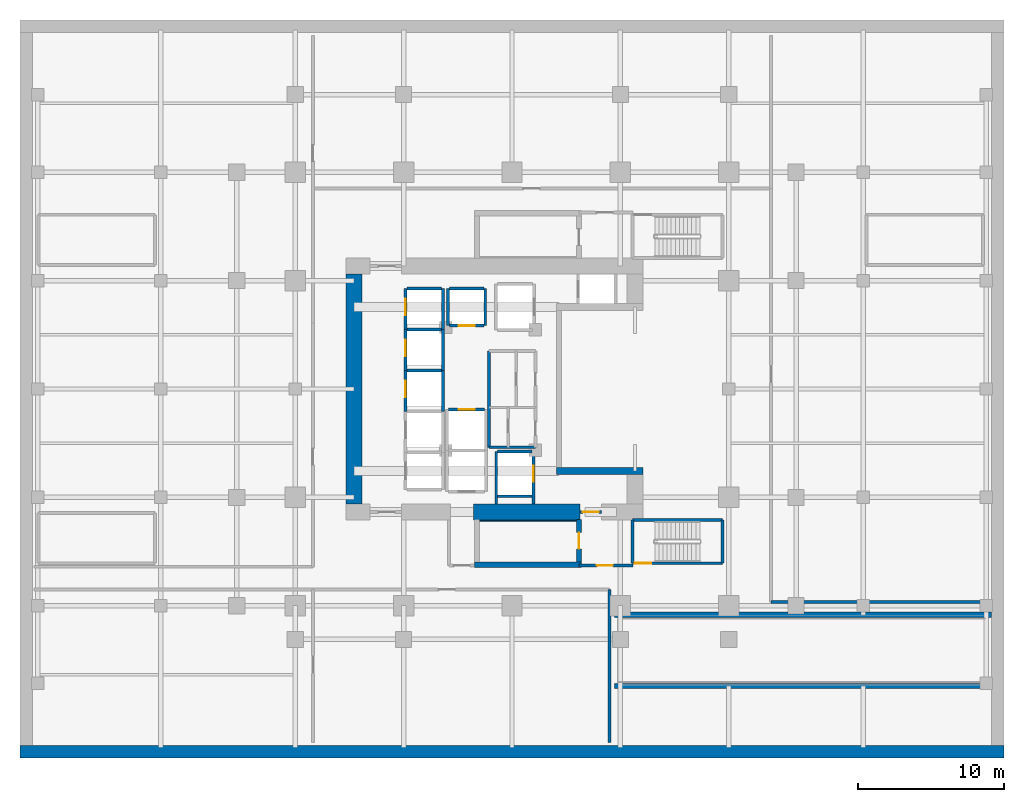
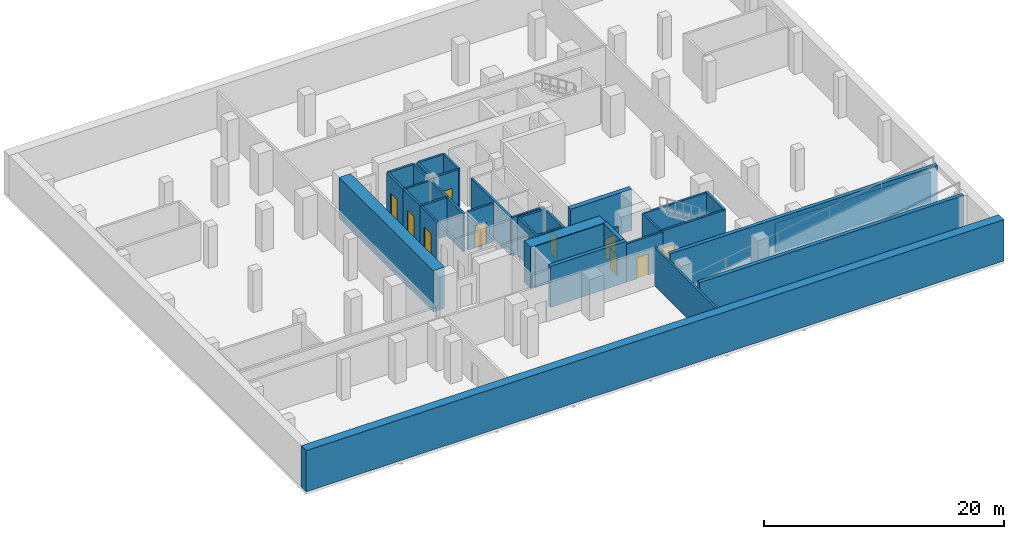
# One storey, part 4 of 7: 37 walls, 10 doors, 10 openings.
"""IFC4 building model written with IfcOpenShell, lengths in metres."""

from ifc_helpers import new_model, si_unit, direction, frame, frame_2d, origin, place, context, subcontext, project, spatial, rectangle, extrude, material, layer, layer_set, type_object, element, fill, save


model = new_model("IFC4")

# Units and contexts
model_context = context("Model", 3, precision=1e-05, world=origin(), true_north=direction((0.0, 1.0)))
body_context = subcontext(model_context, "Body", "Model", "MODEL_VIEW")
ifc_project = project(units=[si_unit("LENGTHUNIT", "METRE"), si_unit("AREAUNIT", "SQUARE_METRE"), si_unit("VOLUMEUNIT", "CUBIC_METRE"), si_unit("PLANEANGLEUNIT", "RADIAN"), si_unit("MASSUNIT", "GRAM", prefix="KILO")], contexts=[model_context])

# Site, building, storey
site_placement = place(None, origin())
site = spatial("IfcSite", under=ifc_project, at=site_placement, CompositionType="ELEMENT")
building_placement = place(site_placement, origin())
building = spatial("IfcBuilding", under=site, at=building_placement, Name="Khorvyn Point Tower", CompositionType="ELEMENT")
storey_placement = place(building_placement, frame((0.0, 0.0, -4.199951171875)))
storey = spatial("IfcBuildingStorey", under=building, at=storey_placement, Name="B1", CompositionType="ELEMENT", Elevation=-4.199951171875)

# Walls
ifc_material_1 = material(Name="Concrete C35/45", Category="concrete")
ifc_layer_1 = layer(ifc_material_1, 0.85009765625)
ifc_layer_set_1 = layer_set([ifc_layer_1], Name="Concrete C35/45 Basement Retaining Wall 850")
wall_type_1 = type_object("IfcWallType", Name="Concrete C35/45 Basement Retaining Wall 850", PredefinedType="SOLIDWALL", material=ifc_layer_set_1)
wall_1_placement = place(storey_placement, frame((-33.60009765625, -24.77490234375, 0.0), z_axis=(0.0, 0.0, 1.0), x_axis=(1.0, 0.0, 0.0)))
element("IfcWall", 1, at=wall_1_placement, inside=storey, type_object=wall_type_1, Name="B1 Basement Retaining Wall S", PredefinedType="SOLIDWALL", context=body_context, shape_type="SweptSolid", body=[
    extrude(rectangle(XDim=67.2001953125, YDim=0.85009765625, at=frame_2d((33.60009765625, 0.0))), origin(), (0.0, 0.0, 1.0), 4.199951171875),
])
ifc_material_2 = material(Name="Concrete C35/45 masonry blockwork", Category="masonry")
ifc_layer_2 = layer(ifc_material_2, 0.199951171875)
ifc_layer_set_2 = layer_set([ifc_layer_2], Name="Concrete C35/45 Blockwork Plant Compartment Wall 200")
wall_type_2 = type_object("IfcWallType", Name="Concrete C35/45 Blockwork Plant Compartment Wall 200", PredefinedType="SOLIDWALL", material=ifc_layer_set_2)
wall_2_placement = place(storey_placement, frame((17.699951171875, -14.550048828125, 0.0), z_axis=(0.0, 0.0, 1.0), x_axis=(1.0, 0.0, 0.0)))
element("IfcWall", 2, at=wall_2_placement, inside=storey, type_object=wall_type_2, Name="Wall", PredefinedType="SOLIDWALL", context=body_context, shape_type="SweptSolid", body=[
    extrude(rectangle(XDim=14.949951171875, YDim=0.199951171875, at=frame_2d((7.47509765625, 0.0))), origin(), (0.0, 0.0, 1.0), 2.989990234375),
])
wall_3_placement = place(storey_placement, frame((6.64990234375, -24.14990234375, 0.0), z_axis=(0.0, 0.0, 1.0), x_axis=(0.0, 1.0, 0.0)))
element("IfcWall", 3, at=wall_3_placement, inside=storey, type_object=wall_type_2, Name="Wall", PredefinedType="SOLIDWALL", context=body_context, shape_type="SweptSolid", body=[
    extrude(rectangle(XDim=10.449951171875, YDim=0.199951171875, at=frame_2d((5.22509765625, 0.0))), origin(), (0.0, 0.0, 1.0), 3.89990234375),
])
ifc_material_3 = material(Name="Concrete C40/50", Category="concrete")
ifc_layer_3 = layer(ifc_material_3, 0.449951171875)
ifc_layer_set_3 = layer_set([ifc_layer_3], Name="Concrete C40/50 Core Shear Wall 450")
wall_type_3 = type_object("IfcWallType", Name="Concrete C40/50 Core Shear Wall 450", PredefinedType="SHEAR", material=ifc_layer_set_3)
wall_4_placement = place(storey_placement, frame((3.044921875, -5.60009765625, 0.0), z_axis=(0.0, 0.0, 1.0), x_axis=(1.0, 0.0, 0.0)))
element("IfcWall", 4, at=wall_4_placement, inside=storey, type_object=wall_type_3, Name="Wall", PredefinedType="SHEAR", context=body_context, shape_type="SweptSolid", body=[
    extrude(rectangle(XDim=5.905029296875, YDim=0.449951171875, at=frame_2d((2.95263671875, 0.0))), origin(), (0.0, 0.0, 1.0), 4.199951171875),
])

# Wall, opening, door
ifc_layer_4 = layer(ifc_material_3, 0.199951171875)
ifc_layer_set_4 = layer_set([ifc_layer_4], Name="Concrete C40/50 Fire-Lobby Compartment Wall 200")
wall_type_4 = type_object("IfcWallType", Name="Concrete C40/50 Fire-Lobby Compartment Wall 200", PredefinedType="SOLIDWALL", material=ifc_layer_set_4)
wall_5_placement = place(storey_placement, frame((4.580078125, -12.06005859375, 0.0), z_axis=(0.0, 0.0, 1.0), x_axis=(1.0, 0.0, 0.0)))
wall_5 = element("IfcWall", 5, at=wall_5_placement, inside=storey, type_object=wall_type_4, Name="Wall", PredefinedType="SOLIDWALL", context=body_context, shape_type="SweptSolid", body=[
    extrude(rectangle(XDim=3.699951171875, YDim=0.199951171875, at=frame_2d((1.85009765625, 0.0))), origin(), (0.0, 0.0, 1.0), 3.89990234375),
])
opening_1_placement = place(wall_5_placement, frame((1.21240234375, 0.0, 0.0)))
opening_1 = element("IfcOpeningElement", 6, at=opening_1_placement, cuts=wall_5, Name="Opening ID-FL90", PredefinedType="OPENING", context=body_context, shape_type="SweptSolid", body=[
    extrude(rectangle(XDim=1.10009765625, YDim=2.14990234375, at=frame_2d((0.550048828125, 1.074951171875))), frame((0.0, 0.10986328125, 0.0), z_axis=(0.0, -1.0, 0.0), x_axis=(1.0, 0.0, 0.0)), (0.0, 0.0, 1.0), 0.219970703125),
])
ifc_material_4 = material(Name="Galvanised powder-coated steel", Category="steel")
door_type_1 = type_object("IfcDoorType", Name="Fire-Rated Steel Lobby and Stair Door 1100x2150", OperationType="NOTDEFINED", PredefinedType="DOOR", material=ifc_material_4)
door_1_placement = place(opening_1_placement, origin())
door_1 = element("IfcDoor", 7, at=door_1_placement, inside=storey, type_object=door_type_1, Name="Door", OperationType="SINGLE_SWING_RIGHT", OverallHeight=2.14990234375, OverallWidth=1.10009765625, PredefinedType="DOOR", context=body_context, shape_type="SweptSolid", body=[
    extrude(rectangle(XDim=1.10009765625, YDim=2.14990234375, at=frame_2d((0.550048828125, 1.074951171875))), frame((0.0, 0.02490234375, 0.0), z_axis=(0.0, -1.0, 0.0), x_axis=(1.0, 0.0, 0.0)), (0.0, 0.0, 1.0), 0.050048828125),
])
fill(opening_1, door_1)

wall_6_placement = place(storey_placement, frame((4.64990234375, -8.39990234375, 0.0), z_axis=(0.0, 0.0, 1.0), x_axis=(1.0, 0.0, 0.0)))
wall_6 = element("IfcWall", 8, at=wall_6_placement, inside=storey, type_object=wall_type_4, Name="Wall", PredefinedType="SOLIDWALL", context=body_context, shape_type="SweptSolid", body=[
    extrude(rectangle(XDim=1.47021484375, YDim=0.199951171875, at=frame_2d((0.735107421875, 0.0))), origin(), (0.0, 0.0, 1.0), 2.93994140625),
])
opening_2_placement = place(wall_6_placement, frame((0.18505859375, 0.0, 0.0)))
opening_2 = element("IfcOpeningElement", 9, at=opening_2_placement, cuts=wall_6, Name="Opening ID-FL90", PredefinedType="OPENING", context=body_context, shape_type="SweptSolid", body=[
    extrude(rectangle(XDim=1.10009765625, YDim=2.14990234375, at=frame_2d((0.550048828125, 1.074951171875))), frame((0.0, 0.10986328125, 0.0), z_axis=(0.0, -1.0, 0.0), x_axis=(1.0, 0.0, 0.0)), (0.0, 0.0, 1.0), 0.219970703125),
])
door_2_placement = place(opening_2_placement, origin())
door_2 = element("IfcDoor", 10, at=door_2_placement, inside=storey, type_object=door_type_1, Name="Door", OperationType="SINGLE_SWING_LEFT", OverallHeight=2.14990234375, OverallWidth=1.10009765625, PredefinedType="DOOR", context=body_context, shape_type="SweptSolid", body=[
    extrude(rectangle(XDim=1.10009765625, YDim=2.14990234375, at=frame_2d((0.550048828125, 1.074951171875))), frame((0.0, 0.02490234375, 0.0), z_axis=(0.0, -1.0, 0.0), x_axis=(1.0, 0.0, 0.0)), (0.0, 0.0, 1.0), 0.050048828125),
])
fill(opening_2, door_2)

# Walls
wall_7_placement = place(storey_placement, frame((-1.580078125, -3.97998046875, 0.0), z_axis=(0.0, 0.0, 1.0), x_axis=(0.0, 1.0, 0.0)))
element("IfcWall", 11, at=wall_7_placement, inside=storey, type_object=wall_type_4, Name="Wall", PredefinedType="SOLIDWALL", context=body_context, shape_type="SweptSolid", body=[
    extrude(rectangle(XDim=6.580078125, YDim=0.199951171875, at=frame_2d((3.2900390625, 0.0))), origin(), (0.0, 0.0, 1.0), 3.89990234375),
])
wall_8_placement = place(storey_placement, frame((-1.580078125, -3.97998046875, 0.0), z_axis=(0.0, 0.0, 1.0), x_axis=(1.0, 0.0, 0.0)))
element("IfcWall", 12, at=wall_8_placement, inside=storey, type_object=wall_type_4, Name="Wall", PredefinedType="SOLIDWALL", context=body_context, shape_type="SweptSolid", body=[
    extrude(rectangle(XDim=3.190185546875, YDim=0.199951171875, at=frame_2d((1.59521484375, 0.0))), origin(), (0.0, 0.0, 1.0), 3.89990234375),
])
ifc_layer_5 = layer(ifc_material_3, 0.25)
ifc_layer_set_5 = layer_set([ifc_layer_5], Name="Concrete C40/50 Stair Inner Cheek Structural Wall 250")
wall_type_5 = type_object("IfcWallType", Name="Concrete C40/50 Stair Inner Cheek Structural Wall 250", PredefinedType="SHEAR", material=ifc_layer_set_5)
wall_9_placement = place(storey_placement, frame((-2.199951171875, -8.987548828125, 0.0), z_axis=(0.0, 0.0, 1.0), x_axis=(1.0, 0.0, 0.0)))
element("IfcWall", 13, at=wall_9_placement, inside=storey, type_object=wall_type_5, Name="Wall", PredefinedType="SHEAR", context=body_context, shape_type="SweptSolid", body=[
    extrude(rectangle(XDim=6.599853515625, YDim=0.074951171875, at=frame_2d((3.2998046875, 0.0))), origin(), (0.0, 0.0, 1.0), 4.199951171875),
])
ifc_layer_6 = layer(ifc_material_3, 0.35009765625)
ifc_layer_set_6 = layer_set([ifc_layer_6], Name="Concrete C40/50 Stair Shaft Structural Wall 350")
wall_type_6 = type_object("IfcWallType", Name="Concrete C40/50 Stair Shaft Structural Wall 350", PredefinedType="SHEAR", material=ifc_layer_set_6)
wall_10_placement = place(storey_placement, frame((7.0, -20.280029296875, 0.0), z_axis=(0.0, 0.0, 1.0), x_axis=(1.0, 0.0, 0.0)))
element("IfcWall", 14, at=wall_10_placement, inside=storey, type_object=wall_type_6, Name="B1 Vehicle Ramp South Structural Cheek Wall", PredefinedType="SHEAR", context=body_context, shape_type="SweptSolid", body=[
    extrude(rectangle(XDim=25.5, YDim=0.35009765625, at=frame_2d((12.75, 0.0))), origin(), (0.0, 0.0, 1.0), 4.199951171875),
])
wall_11_placement = place(storey_placement, frame((7.0, -15.419921875, 0.0), z_axis=(0.0, 0.0, 1.0), x_axis=(1.0, 0.0, 0.0)))
element("IfcWall", 15, at=wall_11_placement, inside=storey, type_object=wall_type_6, Name="B1 Vehicle Ramp North Structural Cheek Wall", PredefinedType="SHEAR", context=body_context, shape_type="SweptSolid", body=[
    extrude(rectangle(XDim=25.75, YDim=0.35009765625, at=frame_2d((12.875, 0.0))), origin(), (0.0, 0.0, 1.0), 4.199951171875),
])
wall_12_placement = place(storey_placement, frame((-2.554931640625, -12.0, 0.0), z_axis=(0.0, 0.0, 1.0), x_axis=(1.0, 0.0, 0.0)))
element("IfcWall", 16, at=wall_12_placement, inside=storey, type_object=wall_type_6, Name="B1 ST-01 South Shaft Wall", PredefinedType="SHEAR", context=body_context, shape_type="SweptSolid", body=[
    extrude(rectangle(XDim=7.309814453125, YDim=0.35009765625, at=frame_2d((3.65478515625, 0.0))), origin(), (0.0, 0.0, 1.0), 4.199951171875),
])

# Wall, opening, door
wall_13_placement = place(storey_placement, frame((4.580078125, -8.89990234375, 0.0), z_axis=(0.0, 0.0, 1.0), x_axis=(0.0, -1.0, 0.0)))
wall_13 = element("IfcWall", 17, at=wall_13_placement, inside=storey, type_object=wall_type_6, Name="B1 ST-01 East Landing Door Wall", PredefinedType="SHEAR", context=body_context, shape_type="SweptSolid", body=[
    extrude(rectangle(XDim=2.925048828125, YDim=0.35009765625, at=frame_2d((1.46240234375, 0.0))), origin(), (0.0, 0.0, 1.0), 4.199951171875),
])
opening_3_placement = place(wall_13_placement, frame((0.91259765625, 0.0, 0.0)))
opening_3 = element("IfcOpeningElement", 18, at=opening_3_placement, cuts=wall_13, Name="Opening ID-FL90", PredefinedType="OPENING", context=body_context, shape_type="SweptSolid", body=[
    extrude(rectangle(XDim=1.10009765625, YDim=2.14990234375, at=frame_2d((0.550048828125, 1.074951171875))), frame((0.0, 0.18505859375, 0.0), z_axis=(0.0, -1.0, 0.0), x_axis=(1.0, 0.0, 0.0)), (0.0, 0.0, 1.0), 0.3701171875),
])
door_3_placement = place(opening_3_placement, origin())
door_3 = element("IfcDoor", 19, at=door_3_placement, inside=storey, type_object=door_type_1, Name="B1 ST-01 Smokeproof Landing Door", OperationType="SINGLE_SWING_RIGHT", OverallHeight=2.14990234375, OverallWidth=1.10009765625, PredefinedType="DOOR", context=body_context, shape_type="SweptSolid", body=[
    extrude(rectangle(XDim=1.10009765625, YDim=2.14990234375, at=frame_2d((0.550048828125, 1.074951171875))), frame((0.0, 0.02490234375, 0.0), z_axis=(0.0, -1.0, 0.0), x_axis=(1.0, 0.0, 0.0)), (0.0, 0.0, 1.0), 0.050048828125),
])
fill(opening_3, door_3)

ifc_layer_7 = layer(ifc_material_3, 0.199951171875)
ifc_layer_set_7 = layer_set([ifc_layer_7], Name="Concrete C40/50 Structural Hoistway and Stair Shaft Wall 200")
wall_type_7 = type_object("IfcWallType", Name="Concrete C40/50 Structural Hoistway and Stair Shaft Wall 200", PredefinedType="SHEAR", material=ifc_layer_set_7)
wall_14_placement = place(storey_placement, frame((-7.27490234375, -1.52490234375, 0.0), z_axis=(0.0, 0.0, 1.0), x_axis=(0.0, 1.0, 0.0)))
wall_14 = element("IfcWall", 20, at=wall_14_placement, inside=storey, type_object=wall_type_7, Name="Wall", PredefinedType="SHEAR", context=body_context, shape_type="SweptSolid", body=[
    extrude(rectangle(XDim=2.7998046875, YDim=0.199951171875, at=frame_2d((1.39990234375, 0.0))), origin(), (0.0, 0.0, 1.0), 3.89990234375),
])
opening_4_placement = place(wall_14_placement, frame((0.97509765625, 0.0, 0.0)))
opening_4 = element("IfcOpeningElement", 21, at=opening_4_placement, cuts=wall_14, Name="Opening LD-1122", PredefinedType="OPENING", context=body_context, shape_type="SweptSolid", body=[
    extrude(rectangle(XDim=1.10009765625, YDim=2.199951171875, at=frame_2d((0.550048828125, 1.10009765625))), frame((0.0, 0.10986328125, 0.0), z_axis=(0.0, -1.0, 0.0), x_axis=(1.0, 0.0, 0.0)), (0.0, 0.0, 1.0), 0.219970703125),
])
ifc_material_5 = material(Name="Stainless steel 1.4301", Category="steel")
door_type_2 = type_object("IfcDoorType", Name="Stainless Steel Automatic Sliding Lift Landing Door 1100x2200", OperationType="SLIDING_TO_LEFT", PredefinedType="DOOR", material=ifc_material_5)
door_4_placement = place(opening_4_placement, origin())
door_4 = element("IfcDoor", 22, at=door_4_placement, inside=storey, type_object=door_type_2, Name="B1 RL-03 Sliding Lift Landing Door", OperationType="SLIDING_TO_LEFT", OverallHeight=2.199951171875, OverallWidth=1.10009765625, PredefinedType="DOOR", context=body_context, shape_type="SweptSolid", body=[
    extrude(rectangle(XDim=1.10009765625, YDim=2.199951171875, at=frame_2d((0.550048828125, 1.10009765625))), frame((0.0, 0.02490234375, 0.0), z_axis=(0.0, -1.0, 0.0), x_axis=(1.0, 0.0, 0.0)), (0.0, 0.0, 1.0), 0.050048828125),
])
fill(opening_4, door_4)

# Walls
wall_15_placement = place(storey_placement, frame((-4.72509765625, -1.52490234375, 0.0), z_axis=(0.0, 0.0, 1.0), x_axis=(0.0, 1.0, 0.0)))
element("IfcWall", 23, at=wall_15_placement, inside=storey, type_object=wall_type_7, Name="Wall", PredefinedType="SHEAR", context=body_context, shape_type="SweptSolid", body=[
    extrude(rectangle(XDim=2.7998046875, YDim=0.199951171875, at=frame_2d((1.39990234375, 0.0))), origin(), (0.0, 0.0, 1.0), 3.89990234375),
])
wall_16_placement = place(storey_placement, frame((-7.175048828125, 1.27490234375, 0.0), z_axis=(0.0, 0.0, 1.0), x_axis=(1.0, 0.0, 0.0)))
element("IfcWall", 24, at=wall_16_placement, inside=storey, type_object=wall_type_7, Name="Wall", PredefinedType="SHEAR", context=body_context, shape_type="SweptSolid", body=[
    extrude(rectangle(XDim=2.35009765625, YDim=0.199951171875, at=frame_2d((1.175048828125, 0.0))), origin(), (0.0, 0.0, 1.0), 3.89990234375),
])

# Wall, opening, door
wall_17_placement = place(storey_placement, frame((-7.27490234375, 1.27490234375, 0.0), z_axis=(0.0, 0.0, 1.0), x_axis=(0.0, 1.0, 0.0)))
wall_17 = element("IfcWall", 25, at=wall_17_placement, inside=storey, type_object=wall_type_7, Name="Wall", PredefinedType="SHEAR", context=body_context, shape_type="SweptSolid", body=[
    extrude(rectangle(XDim=2.800048828125, YDim=0.199951171875, at=frame_2d((1.39990234375, 0.0))), origin(), (0.0, 0.0, 1.0), 3.89990234375),
])
opening_5_placement = place(wall_17_placement, frame((0.97509765625, 0.0, 0.0)))
opening_5 = element("IfcOpeningElement", 26, at=opening_5_placement, cuts=wall_17, Name="Opening LD-1122", PredefinedType="OPENING", context=body_context, shape_type="SweptSolid", body=[
    extrude(rectangle(XDim=1.10009765625, YDim=2.199951171875, at=frame_2d((0.550048828125, 1.10009765625))), frame((0.0, 0.10986328125, 0.0), z_axis=(0.0, -1.0, 0.0), x_axis=(1.0, 0.0, 0.0)), (0.0, 0.0, 1.0), 0.219970703125),
])
door_5_placement = place(opening_5_placement, origin())
door_5 = element("IfcDoor", 27, at=door_5_placement, inside=storey, type_object=door_type_2, Name="B1 RM-01 Sliding Lift Landing Door", OperationType="SLIDING_TO_LEFT", OverallHeight=2.199951171875, OverallWidth=1.10009765625, PredefinedType="DOOR", context=body_context, shape_type="SweptSolid", body=[
    extrude(rectangle(XDim=1.10009765625, YDim=2.199951171875, at=frame_2d((0.550048828125, 1.10009765625))), frame((0.0, 0.02490234375, 0.0), z_axis=(0.0, -1.0, 0.0), x_axis=(1.0, 0.0, 0.0)), (0.0, 0.0, 1.0), 0.050048828125),
])
fill(opening_5, door_5)

# Walls
wall_18_placement = place(storey_placement, frame((-4.72509765625, 1.27490234375, 0.0), z_axis=(0.0, 0.0, 1.0), x_axis=(0.0, 1.0, 0.0)))
element("IfcWall", 28, at=wall_18_placement, inside=storey, type_object=wall_type_7, Name="Wall", PredefinedType="SHEAR", context=body_context, shape_type="SweptSolid", body=[
    extrude(rectangle(XDim=2.800048828125, YDim=0.199951171875, at=frame_2d((1.39990234375, 0.0))), origin(), (0.0, 0.0, 1.0), 3.89990234375),
])
wall_19_placement = place(storey_placement, frame((-7.175048828125, 4.074951171875, 0.0), z_axis=(0.0, 0.0, 1.0), x_axis=(1.0, 0.0, 0.0)))
element("IfcWall", 29, at=wall_19_placement, inside=storey, type_object=wall_type_7, Name="Wall", PredefinedType="SHEAR", context=body_context, shape_type="SweptSolid", body=[
    extrude(rectangle(XDim=2.35009765625, YDim=0.199951171875, at=frame_2d((1.175048828125, 0.0))), origin(), (0.0, 0.0, 1.0), 3.89990234375),
])

# Wall, opening, door
wall_20_placement = place(storey_placement, frame((-7.27490234375, 4.074951171875, 0.0), z_axis=(0.0, 0.0, 1.0), x_axis=(0.0, 1.0, 0.0)))
wall_20 = element("IfcWall", 30, at=wall_20_placement, inside=storey, type_object=wall_type_7, Name="Wall", PredefinedType="SHEAR", context=body_context, shape_type="SweptSolid", body=[
    extrude(rectangle(XDim=2.800048828125, YDim=0.199951171875, at=frame_2d((1.39990234375, 0.0))), origin(), (0.0, 0.0, 1.0), 3.89990234375),
])
opening_6_placement = place(wall_20_placement, frame((0.97509765625, 0.0, 0.0)))
opening_6 = element("IfcOpeningElement", 31, at=opening_6_placement, cuts=wall_20, Name="Opening LD-1122", PredefinedType="OPENING", context=body_context, shape_type="SweptSolid", body=[
    extrude(rectangle(XDim=1.10009765625, YDim=2.199951171875, at=frame_2d((0.550048828125, 1.10009765625))), frame((0.0, 0.10986328125, 0.0), z_axis=(0.0, -1.0, 0.0), x_axis=(1.0, 0.0, 0.0)), (0.0, 0.0, 1.0), 0.219970703125),
])
door_6_placement = place(opening_6_placement, origin())
door_6 = element("IfcDoor", 32, at=door_6_placement, inside=storey, type_object=door_type_2, Name="B1 RM-02 Sliding Lift Landing Door", OperationType="SLIDING_TO_LEFT", OverallHeight=2.199951171875, OverallWidth=1.10009765625, PredefinedType="DOOR", context=body_context, shape_type="SweptSolid", body=[
    extrude(rectangle(XDim=1.10009765625, YDim=2.199951171875, at=frame_2d((0.550048828125, 1.10009765625))), frame((0.0, 0.02490234375, 0.0), z_axis=(0.0, -1.0, 0.0), x_axis=(1.0, 0.0, 0.0)), (0.0, 0.0, 1.0), 0.050048828125),
])
fill(opening_6, door_6)

# Walls
wall_21_placement = place(storey_placement, frame((-4.72509765625, 4.074951171875, 0.0), z_axis=(0.0, 0.0, 1.0), x_axis=(0.0, 1.0, 0.0)))
element("IfcWall", 33, at=wall_21_placement, inside=storey, type_object=wall_type_7, Name="Wall", PredefinedType="SHEAR", context=body_context, shape_type="SweptSolid", body=[
    extrude(rectangle(XDim=2.800048828125, YDim=0.199951171875, at=frame_2d((1.39990234375, 0.0))), origin(), (0.0, 0.0, 1.0), 3.89990234375),
])
wall_22_placement = place(storey_placement, frame((-7.175048828125, 6.875, 0.0), z_axis=(0.0, 0.0, 1.0), x_axis=(1.0, 0.0, 0.0)))
element("IfcWall", 34, at=wall_22_placement, inside=storey, type_object=wall_type_7, Name="Wall", PredefinedType="SHEAR", context=body_context, shape_type="SweptSolid", body=[
    extrude(rectangle(XDim=2.35009765625, YDim=0.199951171875, at=frame_2d((1.175048828125, 0.0))), origin(), (0.0, 0.0, 1.0), 3.89990234375),
])
for number, where, z_axis, x_axis, name in (
    (35, (-4.375, 4.324951171875, 0.0), (0.0, 0.0, 1.0), (0.0, 1.0, 0.0), "Wall"),
    (36, (-1.824951171875, 4.324951171875, 0.0), (0.0, 0.0, 1.0), (0.0, 1.0, 0.0), "Wall"),
):
    element("IfcWall", number, at=place(storey_placement, frame(where, z_axis=z_axis, x_axis=x_axis)), inside=storey, type_object=wall_type_7, Name=name, PredefinedType="SHEAR", context=body_context, shape_type="SweptSolid", body=[
        extrude(rectangle(XDim=2.550048828125, YDim=0.199951171875, at=frame_2d((1.27490234375, 0.0))), origin(), (0.0, 0.0, 1.0), 3.89990234375),
    ])

# Wall, opening, door
wall_23_placement = place(storey_placement, frame((-4.27490234375, 4.324951171875, 0.0), z_axis=(0.0, 0.0, 1.0), x_axis=(1.0, 0.0, 0.0)))
wall_23 = element("IfcWall", 37, at=wall_23_placement, inside=storey, type_object=wall_type_7, Name="Wall", PredefinedType="SHEAR", context=body_context, shape_type="SweptSolid", body=[
    extrude(rectangle(XDim=2.349853515625, YDim=0.199951171875, at=frame_2d((1.1748046875, 0.0))), origin(), (0.0, 0.0, 1.0), 3.89990234375),
])
opening_7_placement = place(wall_23_placement, frame((0.625, 0.0, 0.0)))
opening_7 = element("IfcOpeningElement", 38, at=opening_7_placement, cuts=wall_23, Name="Opening LD-1122", PredefinedType="OPENING", context=body_context, shape_type="SweptSolid", body=[
    extrude(rectangle(XDim=1.10009765625, YDim=2.199951171875, at=frame_2d((0.550048828125, 1.10009765625))), frame((0.0, 0.10986328125, 0.0), z_axis=(0.0, -1.0, 0.0), x_axis=(1.0, 0.0, 0.0)), (0.0, 0.0, 1.0), 0.219970703125),
])
door_7_placement = place(opening_7_placement, origin())
door_7 = element("IfcDoor", 39, at=door_7_placement, inside=storey, type_object=door_type_2, Name="B1 RM-03 Sliding Lift Landing Door", OperationType="SLIDING_TO_LEFT", OverallHeight=2.199951171875, OverallWidth=1.10009765625, PredefinedType="DOOR", context=body_context, shape_type="SweptSolid", body=[
    extrude(rectangle(XDim=1.10009765625, YDim=2.199951171875, at=frame_2d((0.550048828125, 1.10009765625))), frame((0.0, 0.02490234375, 0.0), z_axis=(0.0, -1.0, 0.0), x_axis=(1.0, 0.0, 0.0)), (0.0, 0.0, 1.0), 0.050048828125),
])
fill(opening_7, door_7)

# Wall
wall_24_placement = place(storey_placement, frame((-4.27490234375, 6.875, 0.0), z_axis=(0.0, 0.0, 1.0), x_axis=(1.0, 0.0, 0.0)))
element("IfcWall", 40, at=wall_24_placement, inside=storey, type_object=wall_type_7, Name="Wall", PredefinedType="SHEAR", context=body_context, shape_type="SweptSolid", body=[
    extrude(rectangle(XDim=2.349853515625, YDim=0.199951171875, at=frame_2d((1.1748046875, 0.0))), origin(), (0.0, 0.0, 1.0), 3.89990234375),
])

# Wall, opening, door
wall_25_placement = place(storey_placement, frame((-4.324951171875, -1.39990234375, 0.0), z_axis=(0.0, 0.0, 1.0), x_axis=(1.0, 0.0, 0.0)))
wall_25 = element("IfcWall", 41, at=wall_25_placement, inside=storey, type_object=wall_type_7, Name="Wall", PredefinedType="SHEAR", context=body_context, shape_type="SweptSolid", body=[
    extrude(rectangle(XDim=2.449951171875, YDim=0.199951171875, at=frame_2d((1.22509765625, 0.0))), origin(), (0.0, 0.0, 1.0), 3.89990234375),
])
opening_8_placement = place(wall_25_placement, frame((0.675048828125, 0.0, 0.0)))
opening_8 = element("IfcOpeningElement", 42, at=opening_8_placement, cuts=wall_25, Name="Opening LD-1122", PredefinedType="OPENING", context=body_context, shape_type="SweptSolid", body=[
    extrude(rectangle(XDim=1.10009765625, YDim=2.199951171875, at=frame_2d((0.550048828125, 1.10009765625))), frame((0.0, 0.10986328125, 0.0), z_axis=(0.0, -1.0, 0.0), x_axis=(1.0, 0.0, 0.0)), (0.0, 0.0, 1.0), 0.219970703125),
])
door_8_placement = place(opening_8_placement, origin())
door_8 = element("IfcDoor", 43, at=door_8_placement, inside=storey, type_object=door_type_2, Name="B1 RS-02 Sliding Lift Landing Door", OperationType="SLIDING_TO_LEFT", OverallHeight=2.199951171875, OverallWidth=1.10009765625, PredefinedType="DOOR", context=body_context, shape_type="SweptSolid", body=[
    extrude(rectangle(XDim=1.10009765625, YDim=2.199951171875, at=frame_2d((0.550048828125, 1.10009765625))), frame((0.0, 0.02490234375, 0.0), z_axis=(0.0, -1.0, 0.0), x_axis=(1.0, 0.0, 0.0)), (0.0, 0.0, 1.0), 0.050048828125),
])
fill(opening_8, door_8)

# Wall
wall_26_placement = place(storey_placement, frame((-1.074951171875, -7.85009765625, 0.0), z_axis=(0.0, 0.0, 1.0), x_axis=(0.0, 1.0, 0.0)))
element("IfcWall", 44, at=wall_26_placement, inside=storey, type_object=wall_type_7, Name="Wall", PredefinedType="SHEAR", context=body_context, shape_type="SweptSolid", body=[
    extrude(rectangle(XDim=3.5751953125, YDim=0.199951171875, at=frame_2d((1.78759765625, 0.0))), origin(), (0.0, 0.0, 1.0), 3.89990234375),
])

# Wall, opening, door
wall_27_placement = place(storey_placement, frame((1.47509765625, -7.85009765625, 0.0), z_axis=(0.0, 0.0, 1.0), x_axis=(0.0, 1.0, 0.0)))
wall_27 = element("IfcWall", 45, at=wall_27_placement, inside=storey, type_object=wall_type_7, Name="Wall", PredefinedType="SHEAR", context=body_context, shape_type="SweptSolid", body=[
    extrude(rectangle(XDim=3.5751953125, YDim=0.199951171875, at=frame_2d((1.78759765625, 0.0))), origin(), (0.0, 0.0, 1.0), 3.89990234375),
])
opening_9_placement = place(wall_27_placement, frame((1.5, 0.0, 0.0)))
opening_9 = element("IfcOpeningElement", 46, at=opening_9_placement, cuts=wall_27, Name="Opening LD-1122", PredefinedType="OPENING", context=body_context, shape_type="SweptSolid", body=[
    extrude(rectangle(XDim=1.10009765625, YDim=2.199951171875, at=frame_2d((0.550048828125, 1.10009765625))), frame((0.0, 0.10986328125, 0.0), z_axis=(0.0, -1.0, 0.0), x_axis=(1.0, 0.0, 0.0)), (0.0, 0.0, 1.0), 0.219970703125),
])
door_9_placement = place(opening_9_placement, origin())
door_9 = element("IfcDoor", 47, at=door_9_placement, inside=storey, type_object=door_type_2, Name="B1 FF-01 Sliding Lift Landing Door", OperationType="SLIDING_TO_LEFT", OverallHeight=2.199951171875, OverallWidth=1.10009765625, PredefinedType="DOOR", context=body_context, shape_type="SweptSolid", body=[
    extrude(rectangle(XDim=1.10009765625, YDim=2.199951171875, at=frame_2d((0.550048828125, 1.10009765625))), frame((0.0, 0.02490234375, 0.0), z_axis=(0.0, -1.0, 0.0), x_axis=(1.0, 0.0, 0.0)), (0.0, 0.0, 1.0), 0.050048828125),
])
fill(opening_9, door_9)

# Walls
for number, where, z_axis, x_axis, name in (
    (48, (-0.97509765625, -7.324951171875, 0.0), (0.0, 0.0, 1.0), (1.0, 0.0, 0.0), "Wall"),
    (49, (-0.97509765625, -4.27490234375, 0.0), (0.0, 0.0, 1.0), (1.0, 0.0, 0.0), "Wall"),
):
    element("IfcWall", number, at=place(storey_placement, frame(where, z_axis=z_axis, x_axis=x_axis)), inside=storey, type_object=wall_type_7, Name=name, PredefinedType="SHEAR", context=body_context, shape_type="SweptSolid", body=[
        extrude(rectangle(XDim=2.35009765625, YDim=0.199951171875, at=frame_2d((1.175048828125, 0.0))), origin(), (0.0, 0.0, 1.0), 3.89990234375),
    ])
for number, where, z_axis, x_axis, name in (
    (50, (8.219970703125, -11.89990234375, 0.0), (0.0, 0.0, 1.0), (0.0, 1.0, 0.0), "Wall"),
    (51, (14.3798828125, -8.93994140625, 0.0), (0.0, 0.0, 1.0), (0.0, -1.0, 0.0), "Wall"),
):
    element("IfcWall", number, at=place(storey_placement, frame(where, z_axis=z_axis, x_axis=x_axis)), inside=storey, type_object=wall_type_7, Name=name, PredefinedType="SHEAR", context=body_context, shape_type="SweptSolid", body=[
        extrude(rectangle(XDim=2.9599609375, YDim=0.199951171875, at=frame_2d((1.47998046875, 0.0))), origin(), (0.0, 0.0, 1.0), 3.89990234375),
    ])

# Wall, opening, door
wall_28_placement = place(storey_placement, frame((14.3798828125, -11.89990234375, 0.0), z_axis=(0.0, 0.0, 1.0), x_axis=(-1.0, 0.0, 0.0)))
wall_28 = element("IfcWall", 52, at=wall_28_placement, inside=storey, type_object=wall_type_7, Name="Wall", PredefinedType="SHEAR", context=body_context, shape_type="SweptSolid", body=[
    extrude(rectangle(XDim=6.159912109375, YDim=0.199951171875, at=frame_2d((3.080078125, 0.0))), origin(), (0.0, 0.0, 1.0), 3.89990234375),
])
opening_10_placement = place(wall_28_placement, frame((4.8798828125, 0.0, 0.0)))
opening_10 = element("IfcOpeningElement", 53, at=opening_10_placement, cuts=wall_28, Name="Opening ID-FL90", PredefinedType="OPENING", context=body_context, shape_type="SweptSolid", body=[
    extrude(rectangle(XDim=1.10009765625, YDim=2.14990234375, at=frame_2d((0.550048828125, 1.074951171875))), frame((0.0, 0.10986328125, 0.0), z_axis=(0.0, -1.0, 0.0), x_axis=(1.0, 0.0, 0.0)), (0.0, 0.0, 1.0), 0.219970703125),
])
door_10_placement = place(opening_10_placement, origin())
door_10 = element("IfcDoor", 54, at=door_10_placement, inside=storey, type_object=door_type_1, Name="B1 ST-B1 Smokeproof Landing Door", OperationType="SINGLE_SWING_LEFT", OverallHeight=2.14990234375, OverallWidth=1.10009765625, PredefinedType="DOOR", context=body_context, shape_type="SweptSolid", body=[
    extrude(rectangle(XDim=1.10009765625, YDim=2.14990234375, at=frame_2d((0.550048828125, 1.074951171875))), frame((0.0, 0.02490234375, 0.0), z_axis=(0.0, -1.0, 0.0), x_axis=(1.0, 0.0, 0.0)), (0.0, 0.0, 1.0), 0.050048828125),
])
fill(opening_10, door_10)

# Walls
wall_29_placement = place(storey_placement, frame((8.219970703125, -8.93994140625, 0.0), z_axis=(0.0, 0.0, 1.0), x_axis=(1.0, 0.0, 0.0)))
element("IfcWall", 55, at=wall_29_placement, inside=storey, type_object=wall_type_7, Name="Wall", PredefinedType="SHEAR", context=body_context, shape_type="SweptSolid", body=[
    extrude(rectangle(XDim=6.159912109375, YDim=0.199951171875, at=frame_2d((3.080078125, 0.0))), origin(), (0.0, 0.0, 1.0), 3.89990234375),
])
ifc_material_6 = material(Name="Concrete C50/60", Category="concrete")
ifc_layer_8 = layer(ifc_material_6, 1.10009765625)
ifc_layer_set_8 = layer_set([ifc_layer_8], Name="Concrete C50/60 Core Shear Wall 1100")
wall_type_8 = type_object("IfcWallType", Name="Concrete C50/60 Core Shear Wall 1100", PredefinedType="SHEAR", material=ifc_layer_set_8)
wall_30_placement = place(storey_placement, frame((-2.6201171875, -8.39990234375, 0.0), z_axis=(0.0, 0.0, 1.0), x_axis=(1.0, 0.0, 0.0)))
element("IfcWall", 56, at=wall_30_placement, inside=storey, type_object=wall_type_8, Name="Wall", PredefinedType="SHEAR", context=body_context, shape_type="SweptSolid", body=[
    extrude(rectangle(XDim=7.27001953125, YDim=1.10009765625, at=frame_2d((3.635009765625, 0.0))), origin(), (0.0, 0.0, 1.0), 4.199951171875),
])
wall_31_placement = place(storey_placement, frame((-10.800048828125, -7.85009765625, 0.0), z_axis=(0.0, 0.0, 1.0), x_axis=(0.0, 1.0, 0.0)))
element("IfcWall", 57, at=wall_31_placement, inside=storey, type_object=wall_type_8, Name="Wall", PredefinedType="SHEAR", context=body_context, shape_type="SweptSolid", body=[
    extrude(rectangle(XDim=15.7001953125, YDim=1.10009765625, at=frame_2d((7.85009765625, 0.0))), origin(), (0.0, 0.0, 1.0), 4.199951171875),
])

save(model, "model.ifc")
